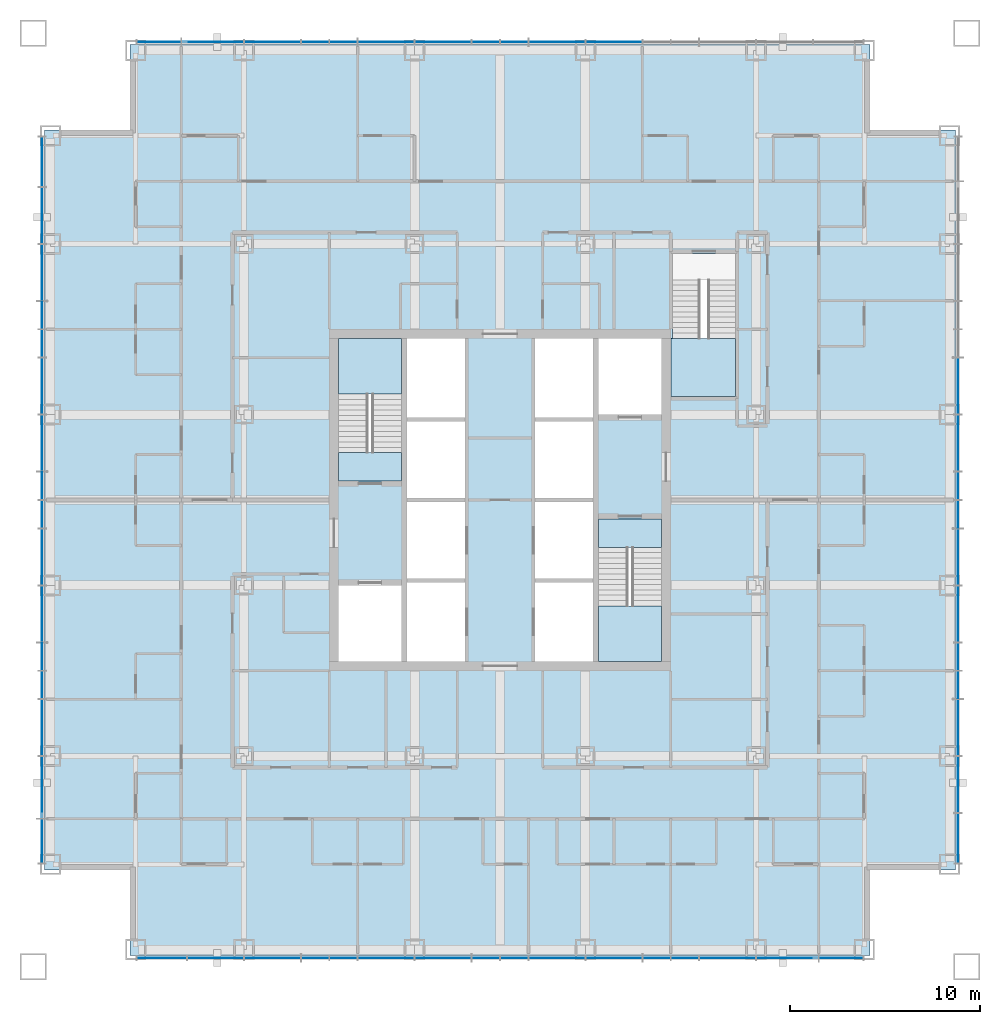
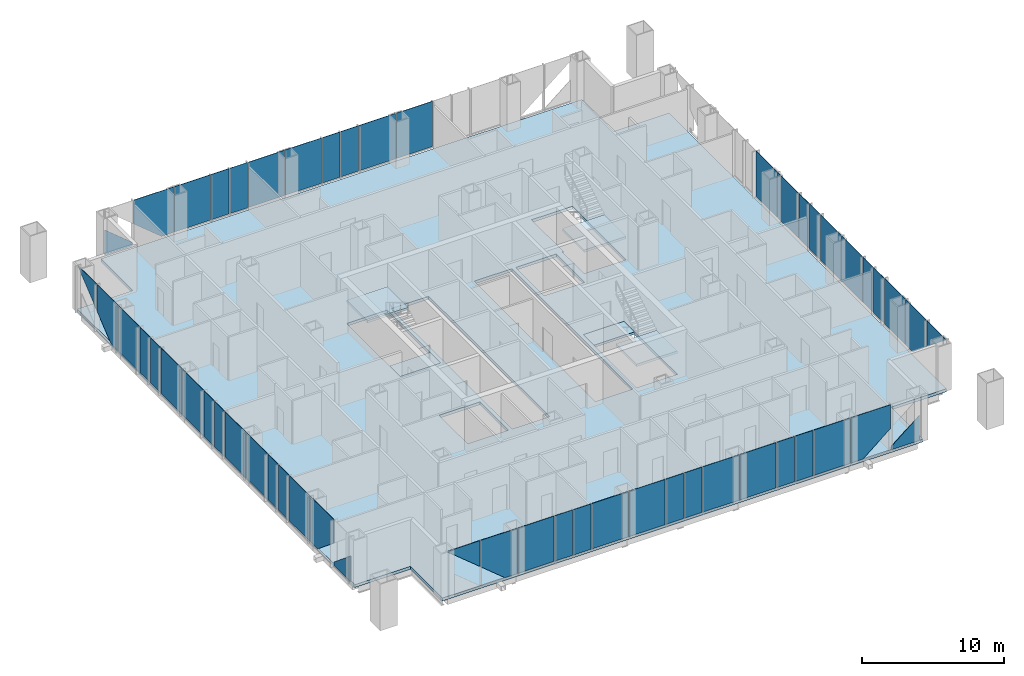
# One storey, part 7 of 18: 54 plates, 6 slabs, 7 elements without a shape of their own.
"""IFC4 building model written with IfcOpenShell, lengths in metres."""

from ifc_helpers import new_model, si_unit, direction, frame, origin, origin_2d, place, context, subcontext, project, spatial, polyline, rectangle, outline, extrude, material, layer, layer_set, type_object, element, aggregate, save


model = new_model("IFC4")

# Units and contexts
model_context = context("Model", 3, precision=1e-05, world=origin(), true_north=direction((0.0, 1.0)))
body_context = subcontext(model_context, "Body", "Model", "MODEL_VIEW")
ifc_project = project(units=[si_unit("LENGTHUNIT", "METRE"), si_unit("AREAUNIT", "SQUARE_METRE"), si_unit("VOLUMEUNIT", "CUBIC_METRE"), si_unit("PLANEANGLEUNIT", "RADIAN"), si_unit("MASSUNIT", "GRAM", prefix="KILO")], contexts=[model_context])

# Site, building, storey
site_placement = place(None, origin())
site = spatial("IfcSite", under=ifc_project, at=site_placement, CompositionType="ELEMENT")
building_placement = place(site_placement, origin())
building = spatial("IfcBuilding", under=site, at=building_placement, Name="Malebo Sky Hospital", CompositionType="ELEMENT")
storey_placement = place(building_placement, frame((0.0, 0.0, 132.0)))
storey = spatial("IfcBuildingStorey", under=building, at=storey_placement, Name="L31", CompositionType="ELEMENT", Elevation=132.0)

# Slab
ifc_material_1 = material(Name="Concrete C40/50", Category="concrete")
ifc_layer_1 = layer(ifc_material_1, 0.25)
ifc_layer_set_1 = layer_set([ifc_layer_1], Name="COMPOSITE FLOOR SLAB 250")
slab_type_1 = type_object("IfcSlabType", Name="COMPOSITE FLOOR SLAB 250", PredefinedType="FLOOR", material=ifc_layer_set_1)
slab_1_placement = place(storey_placement, frame((0.0, 0.0, -0.25)))
element("IfcSlab", 1, at=slab_1_placement, inside=storey, type_object=slab_type_1, Name="Floor slab L31", PredefinedType="FLOOR", context=body_context, shape_type="SweptSolid", body=[
    extrude(outline(polyline([(40.5, 86.0), (40.5, 81.5), (36.0, 81.5), (36.0, 42.5), (40.5, 42.5), (40.5, 38.0), (79.5, 38.0), (79.5, 42.5), (84.0, 42.5), (84.0, 81.5), (79.5, 81.5), (79.5, 86.0), (40.5, 86.0)]), holes=[polyline([(55.10009765625, 70.5), (58.14990234375, 70.5), (58.14990234375, 53.5), (55.10009765625, 53.5), (55.10009765625, 70.5)]), polyline([(64.89990234375, 70.5), (64.89990234375, 53.5), (61.85009765625, 53.5), (61.85009765625, 70.5), (64.89990234375, 70.5)]), polyline([(54.800048828125, 63.0), (51.5, 63.0), (51.5, 70.5), (54.800048828125, 70.5), (54.800048828125, 63.0)]), polyline([(51.5, 53.5), (51.5, 57.5), (54.800048828125, 57.5), (54.800048828125, 53.5), (51.5, 53.5)]), polyline([(65.199951171875, 61.0), (68.5, 61.0), (68.5, 53.5), (65.199951171875, 53.5), (65.199951171875, 61.0)]), polyline([(68.5, 70.5), (68.5, 66.5), (65.199951171875, 66.5), (65.199951171875, 70.5), (68.5, 70.5)]), polyline([(69.0, 67.449951171875), (69.0, 70.52001953125), (69.10009765625, 70.52001953125), (69.10009765625, 75.0), (72.39990234375, 75.0), (72.39990234375, 67.449951171875), (69.10009765625, 67.449951171875), (69.0, 67.449951171875)])]), origin(), (0.0, 0.0, 1.0), 0.25),
])

# Stair, slabs
stair_type_1 = type_object("IfcStairType", Name="HALF-TURN STAIR 1500 R167", PredefinedType="HALF_TURN_STAIR", material=ifc_material_1)
stair_1_placement = place(storey_placement, origin())
stair_1 = element("IfcStair", 2, at=stair_1_placement, inside=storey, type_object=stair_type_1, Name="Stair S1 L31 type ST1", PredefinedType="HALF_TURN_STAIR")
ifc_layer_2 = layer(ifc_material_1, 0.199951171875)
ifc_layer_set_2 = layer_set([ifc_layer_2], Name="STAIR LANDING 200")
slab_type_2 = type_object("IfcSlabType", Name="STAIR LANDING 200", PredefinedType="LANDING", material=ifc_layer_set_2)
slab_2_placement = place(storey_placement, frame((0.0, 0.0, -0.199951171875)))
slab_2 = element("IfcSlab", 3, at=slab_2_placement, type_object=slab_type_2, Name="S1 landing 1", PredefinedType="LANDING", context=body_context, shape_type="SweptSolid", body=[
    extrude(outline(polyline([(51.5, 63.0), (54.800048828125, 63.0), (54.800048828125, 64.5), (51.5, 64.5), (51.5, 63.0)])), origin(), (0.0, 0.0, 1.0), 0.199951171875),
])
slab_3_placement = place(storey_placement, frame((0.0, 0.0, 1.800048828125)))
slab_3 = element("IfcSlab", 4, at=slab_3_placement, type_object=slab_type_2, Name="S1 landing 2", PredefinedType="LANDING", context=body_context, shape_type="SweptSolid", body=[
    extrude(outline(polyline([(51.5, 67.580078125), (54.800048828125, 67.580078125), (54.800048828125, 70.5), (51.5, 70.5), (51.5, 67.580078125)])), origin(), (0.0, 0.0, 1.0), 0.199951171875),
])
aggregate(stair_1, [slab_2, slab_3])

stair_2_placement = place(storey_placement, origin())
stair_2 = element("IfcStair", 5, at=stair_2_placement, inside=storey, type_object=stair_type_1, Name="Stair S2 L31 type ST1", PredefinedType="HALF_TURN_STAIR")
slab_4_placement = place(storey_placement, frame((0.0, 0.0, -0.199951171875)))
slab_4 = element("IfcSlab", 6, at=slab_4_placement, type_object=slab_type_2, Name="S2 landing 1", PredefinedType="LANDING", context=body_context, shape_type="SweptSolid", body=[
    extrude(outline(polyline([(65.199951171875, 59.5), (68.5, 59.5), (68.5, 61.0), (65.199951171875, 61.0), (65.199951171875, 59.5)])), origin(), (0.0, 0.0, 1.0), 0.199951171875),
])
slab_5_placement = place(storey_placement, frame((0.0, 0.0, 1.800048828125)))
slab_5 = element("IfcSlab", 7, at=slab_5_placement, type_object=slab_type_2, Name="S2 landing 2", PredefinedType="LANDING", context=body_context, shape_type="SweptSolid", body=[
    extrude(outline(polyline([(65.199951171875, 53.5), (68.5, 53.5), (68.5, 56.419921875), (65.199951171875, 56.419921875), (65.199951171875, 53.5)])), origin(), (0.0, 0.0, 1.0), 0.199951171875),
])
aggregate(stair_2, [slab_4, slab_5])

# Stair, slab
stair_type_2 = type_object("IfcStairType", Name="HALF-TURN STAIR 1400 R167", PredefinedType="HALF_TURN_STAIR", material=ifc_material_1)
stair_3_placement = place(storey_placement, origin())
stair_3 = element("IfcStair", 8, at=stair_3_placement, inside=storey, type_object=stair_type_2, Name="Stair S3 L31 type ST1B", PredefinedType="HALF_TURN_STAIR")
slab_6_placement = place(storey_placement, frame((0.0, 0.0, 1.800048828125)))
slab_6 = element("IfcSlab", 9, at=slab_6_placement, type_object=slab_type_2, Name="S3 landing 2", PredefinedType="LANDING", context=body_context, shape_type="SweptSolid", body=[
    extrude(outline(polyline([(69.0, 67.449951171875), (72.39990234375, 67.449951171875), (72.39990234375, 70.52001953125), (69.0, 70.52001953125), (69.0, 67.449951171875)])), origin(), (0.0, 0.0, 1.0), 0.199951171875),
])
aggregate(stair_3, [slab_6])

# Curtain wall, plates
ifc_material_2 = material(Name="Anodised aluminium, natural silver", Category="aluminium")
ifc_layer_3 = layer(ifc_material_2, 0.25)
ifc_layer_set_3 = layer_set([ifc_layer_3], Name="WARD CURTAIN WALL NORTH AND SOUTH")
curtain_wall_type_1 = type_object("IfcCurtainWallType", Name="WARD CURTAIN WALL NORTH AND SOUTH", PredefinedType="NOTDEFINED", material=ifc_layer_set_3)
curtain_wall_1_placement = place(storey_placement, origin())
curtain_wall_1 = element("IfcCurtainWall", 10, at=curtain_wall_1_placement, inside=storey, type_object=curtain_wall_type_1, Name="NS curtain wall N", PredefinedType="NOTDEFINED")
ifc_material_3 = material(Name="Clear low-iron double glazing", Category="glass")
ifc_layer_4 = layer(ifc_material_3, 0.031982421875)
ifc_layer_set_4 = layer_set([ifc_layer_4], Name="VISION PANEL CLEAR 32")
plate_type = type_object("IfcPlateType", Name="VISION PANEL CLEAR 32", PredefinedType="CURTAIN_PANEL", material=ifc_layer_set_4)
plate_1_placement = place(storey_placement, frame((42.018798828125, 86.135009765625, 0.10009765625), z_axis=(0.0, 0.0, 1.0), x_axis=(1.0, 0.0, 0.0)))
plate_1 = element("IfcPlate", 11, at=plate_1_placement, type_object=plate_type, Name="Panel 1", PredefinedType="CURTAIN_PANEL", context=body_context, shape_type="SweptSolid", body=[
    extrude(outline(polyline([(-1.143798828125, 0.0), (1.143798828125, 0.0), (1.143798828125, 0.291748046875), (-1.143798828125, 2.177001953125), (-1.143798828125, 0.0)])), frame((0.0, 0.01611328125, 0.0), z_axis=(0.0, -1.0, 0.0), x_axis=(1.0, 0.0, 0.0)), (0.0, 0.0, 1.0), 0.031982421875),
])
plate_2_placement = place(storey_placement, frame((44.85009765625, 86.135009765625, 0.10009765625), z_axis=(0.0, 0.0, 1.0), x_axis=(1.0, 0.0, 0.0)))
plate_2 = element("IfcPlate", 12, at=plate_2_placement, type_object=plate_type, Name="Panel 2", PredefinedType="CURTAIN_PANEL", context=body_context, shape_type="SweptSolid", body=[
    extrude(outline(polyline([(0.63330078125, 0.0), (1.612548828125, 0.0), (1.612548828125, 3.889892578125), (-1.612548828125, 3.889892578125), (-1.612548828125, 1.85107421875), (0.63330078125, 0.0)])), frame((0.0, 0.01611328125, 0.0), z_axis=(0.0, -1.0, 0.0), x_axis=(1.0, 0.0, 0.0)), (0.0, 0.0, 1.0), 0.031982421875),
])
plate_3_placement = place(storey_placement, frame((48.0, 86.135009765625, 0.10009765625), z_axis=(0.0, 0.0, 1.0), x_axis=(1.0, 0.0, 0.0)))
plate_3 = element("IfcPlate", 13, at=plate_3_placement, type_object=plate_type, Name="Panel 3", PredefinedType="CURTAIN_PANEL", context=body_context, shape_type="SweptSolid", body=[
    extrude(rectangle(XDim=2.925048828125, YDim=0.031982421875, at=origin_2d()), origin(), (0.0, 0.0, 1.0), 3.889892578125),
])
plate_4_placement = place(storey_placement, frame((50.25, 86.135009765625, 0.10009765625), z_axis=(0.0, 0.0, 1.0), x_axis=(1.0, 0.0, 0.0)))
plate_4 = element("IfcPlate", 14, at=plate_4_placement, type_object=plate_type, Name="Panel 4", PredefinedType="CURTAIN_PANEL", context=body_context, shape_type="SweptSolid", body=[
    extrude(rectangle(XDim=1.425048828125, YDim=0.031982421875, at=origin_2d()), origin(), (0.0, 0.0, 1.0), 3.889892578125),
])
plate_5_placement = place(storey_placement, frame((51.75, 86.135009765625, 0.10009765625), z_axis=(0.0, 0.0, 1.0), x_axis=(1.0, 0.0, 0.0)))
plate_5 = element("IfcPlate", 15, at=plate_5_placement, type_object=plate_type, Name="Panel 5", PredefinedType="CURTAIN_PANEL", context=body_context, shape_type="SweptSolid", body=[
    extrude(rectangle(XDim=1.425048828125, YDim=0.031982421875, at=origin_2d()), origin(), (0.0, 0.0, 1.0), 3.889892578125),
])
plate_6_placement = place(storey_placement, frame((54.0, 86.135009765625, 0.10009765625), z_axis=(0.0, 0.0, 1.0), x_axis=(1.0, 0.0, 0.0)))
plate_6 = element("IfcPlate", 16, at=plate_6_placement, type_object=plate_type, Name="Panel 6", PredefinedType="CURTAIN_PANEL", context=body_context, shape_type="SweptSolid", body=[
    extrude(rectangle(XDim=2.925048828125, YDim=0.031982421875, at=origin_2d()), origin(), (0.0, 0.0, 1.0), 3.889892578125),
])
plate_7_placement = place(storey_placement, frame((57.0, 86.135009765625, 0.10009765625), z_axis=(0.0, 0.0, 1.0), x_axis=(1.0, 0.0, 0.0)))
plate_7 = element("IfcPlate", 17, at=plate_7_placement, type_object=plate_type, Name="Panel 7", PredefinedType="CURTAIN_PANEL", context=body_context, shape_type="SweptSolid", body=[
    extrude(rectangle(XDim=2.925048828125, YDim=0.031982421875, at=origin_2d()), origin(), (0.0, 0.0, 1.0), 3.889892578125),
])
plate_8_placement = place(storey_placement, frame((59.25, 86.135009765625, 0.10009765625), z_axis=(0.0, 0.0, 1.0), x_axis=(1.0, 0.0, 0.0)))
plate_8 = element("IfcPlate", 18, at=plate_8_placement, type_object=plate_type, Name="Panel 8", PredefinedType="CURTAIN_PANEL", context=body_context, shape_type="SweptSolid", body=[
    extrude(rectangle(XDim=1.425048828125, YDim=0.031982421875, at=origin_2d()), origin(), (0.0, 0.0, 1.0), 3.889892578125),
])
plate_9_placement = place(storey_placement, frame((60.75, 86.135009765625, 0.10009765625), z_axis=(0.0, 0.0, 1.0), x_axis=(1.0, 0.0, 0.0)))
plate_9 = element("IfcPlate", 19, at=plate_9_placement, type_object=plate_type, Name="Panel 9", PredefinedType="CURTAIN_PANEL", context=body_context, shape_type="SweptSolid", body=[
    extrude(rectangle(XDim=1.425048828125, YDim=0.031982421875, at=origin_2d()), origin(), (0.0, 0.0, 1.0), 3.889892578125),
])
plate_10_placement = place(storey_placement, frame((63.0, 86.135009765625, 0.10009765625), z_axis=(0.0, 0.0, 1.0), x_axis=(1.0, 0.0, 0.0)))
plate_10 = element("IfcPlate", 20, at=plate_10_placement, type_object=plate_type, Name="Panel 10", PredefinedType="CURTAIN_PANEL", context=body_context, shape_type="SweptSolid", body=[
    extrude(rectangle(XDim=2.925048828125, YDim=0.031982421875, at=origin_2d()), origin(), (0.0, 0.0, 1.0), 3.889892578125),
])
plate_11_placement = place(storey_placement, frame((66.0, 86.135009765625, 0.10009765625), z_axis=(0.0, 0.0, 1.0), x_axis=(1.0, 0.0, 0.0)))
plate_11 = element("IfcPlate", 21, at=plate_11_placement, type_object=plate_type, Name="Panel 11", PredefinedType="CURTAIN_PANEL", context=body_context, shape_type="SweptSolid", body=[
    extrude(rectangle(XDim=2.925048828125, YDim=0.031982421875, at=origin_2d()), origin(), (0.0, 0.0, 1.0), 3.889892578125),
])
aggregate(curtain_wall_1, [plate_1, plate_2, plate_3, plate_4, plate_5, plate_6, plate_7, plate_8, plate_9, plate_10, plate_11])

ifc_layer_5 = layer(ifc_material_2, 0.25)
ifc_layer_set_5 = layer_set([ifc_layer_5], Name="WARD CURTAIN WALL EAST AND WEST")
curtain_wall_type_2 = type_object("IfcCurtainWallType", Name="WARD CURTAIN WALL EAST AND WEST", PredefinedType="NOTDEFINED", material=ifc_layer_set_5)
curtain_wall_2_placement = place(storey_placement, origin())
curtain_wall_2 = element("IfcCurtainWall", 22, at=curtain_wall_2_placement, inside=storey, type_object=curtain_wall_type_2, Name="EW curtain wall W", PredefinedType="NOTDEFINED")
plate_12_placement = place(storey_placement, frame((35.864990234375, 44.018798828125, 0.10009765625), z_axis=(0.0, 0.0, 1.0), x_axis=(0.0, 1.0, 0.0)))
plate_12 = element("IfcPlate", 23, at=plate_12_placement, type_object=plate_type, Name="Panel 1", PredefinedType="CURTAIN_PANEL", context=body_context, shape_type="SweptSolid", body=[
    extrude(outline(polyline([(-1.143798828125, 0.0), (1.143798828125, 0.0), (1.143798828125, 0.291748046875), (-1.143798828125, 2.177001953125), (-1.143798828125, 0.0)])), frame((0.0, 0.01611328125, 0.0), z_axis=(0.0, -1.0, 0.0), x_axis=(1.0, 0.0, 0.0)), (0.0, 0.0, 1.0), 0.031982421875),
])
plate_13_placement = place(storey_placement, frame((35.864990234375, 46.85009765625, 0.10009765625), z_axis=(0.0, 0.0, 1.0), x_axis=(0.0, 1.0, 0.0)))
plate_13 = element("IfcPlate", 24, at=plate_13_placement, type_object=plate_type, Name="Panel 2", PredefinedType="CURTAIN_PANEL", context=body_context, shape_type="SweptSolid", body=[
    extrude(outline(polyline([(0.63330078125, 0.0), (1.612548828125, 0.0), (1.612548828125, 3.889892578125), (-1.612548828125, 3.889892578125), (-1.612548828125, 1.85107421875), (0.63330078125, 0.0)])), frame((0.0, 0.01611328125, 0.0), z_axis=(0.0, -1.0, 0.0), x_axis=(1.0, 0.0, 0.0)), (0.0, 0.0, 1.0), 0.031982421875),
])
plate_14_placement = place(storey_placement, frame((35.864990234375, 50.0, 0.10009765625), z_axis=(0.0, 0.0, 1.0), x_axis=(0.0, 1.0, 0.0)))
plate_14 = element("IfcPlate", 25, at=plate_14_placement, type_object=plate_type, Name="Panel 3", PredefinedType="CURTAIN_PANEL", context=body_context, shape_type="SweptSolid", body=[
    extrude(rectangle(XDim=2.925048828125, YDim=0.031982421875, at=origin_2d()), origin(), (0.0, 0.0, 1.0), 3.889892578125),
])
plate_15_placement = place(storey_placement, frame((35.864990234375, 52.25, 0.10009765625), z_axis=(0.0, 0.0, 1.0), x_axis=(0.0, 1.0, 0.0)))
plate_15 = element("IfcPlate", 26, at=plate_15_placement, type_object=plate_type, Name="Panel 4", PredefinedType="CURTAIN_PANEL", context=body_context, shape_type="SweptSolid", body=[
    extrude(rectangle(XDim=1.425048828125, YDim=0.031982421875, at=origin_2d()), origin(), (0.0, 0.0, 1.0), 3.889892578125),
])
plate_16_placement = place(storey_placement, frame((35.864990234375, 53.75, 0.10009765625), z_axis=(0.0, 0.0, 1.0), x_axis=(0.0, 1.0, 0.0)))
plate_16 = element("IfcPlate", 27, at=plate_16_placement, type_object=plate_type, Name="Panel 5", PredefinedType="CURTAIN_PANEL", context=body_context, shape_type="SweptSolid", body=[
    extrude(rectangle(XDim=1.425048828125, YDim=0.031982421875, at=origin_2d()), origin(), (0.0, 0.0, 1.0), 3.889892578125),
])
plate_17_placement = place(storey_placement, frame((35.864990234375, 56.0, 0.10009765625), z_axis=(0.0, 0.0, 1.0), x_axis=(0.0, 1.0, 0.0)))
plate_17 = element("IfcPlate", 28, at=plate_17_placement, type_object=plate_type, Name="Panel 6", PredefinedType="CURTAIN_PANEL", context=body_context, shape_type="SweptSolid", body=[
    extrude(rectangle(XDim=2.925048828125, YDim=0.031982421875, at=origin_2d()), origin(), (0.0, 0.0, 1.0), 3.889892578125),
])
plate_18_placement = place(storey_placement, frame((35.864990234375, 59.0, 0.10009765625), z_axis=(0.0, 0.0, 1.0), x_axis=(0.0, 1.0, 0.0)))
plate_18 = element("IfcPlate", 29, at=plate_18_placement, type_object=plate_type, Name="Panel 7", PredefinedType="CURTAIN_PANEL", context=body_context, shape_type="SweptSolid", body=[
    extrude(rectangle(XDim=2.925048828125, YDim=0.031982421875, at=origin_2d()), origin(), (0.0, 0.0, 1.0), 3.889892578125),
])
plate_19_placement = place(storey_placement, frame((35.864990234375, 61.25, 0.10009765625), z_axis=(0.0, 0.0, 1.0), x_axis=(0.0, 1.0, 0.0)))
plate_19 = element("IfcPlate", 30, at=plate_19_placement, type_object=plate_type, Name="Panel 8", PredefinedType="CURTAIN_PANEL", context=body_context, shape_type="SweptSolid", body=[
    extrude(rectangle(XDim=1.425048828125, YDim=0.031982421875, at=origin_2d()), origin(), (0.0, 0.0, 1.0), 3.889892578125),
])
plate_20_placement = place(storey_placement, frame((35.864990234375, 62.75, 0.10009765625), z_axis=(0.0, 0.0, 1.0), x_axis=(0.0, 1.0, 0.0)))
plate_20 = element("IfcPlate", 31, at=plate_20_placement, type_object=plate_type, Name="Panel 9", PredefinedType="CURTAIN_PANEL", context=body_context, shape_type="SweptSolid", body=[
    extrude(rectangle(XDim=1.425048828125, YDim=0.031982421875, at=origin_2d()), origin(), (0.0, 0.0, 1.0), 3.889892578125),
])
plate_21_placement = place(storey_placement, frame((35.864990234375, 65.0, 0.10009765625), z_axis=(0.0, 0.0, 1.0), x_axis=(0.0, 1.0, 0.0)))
plate_21 = element("IfcPlate", 32, at=plate_21_placement, type_object=plate_type, Name="Panel 10", PredefinedType="CURTAIN_PANEL", context=body_context, shape_type="SweptSolid", body=[
    extrude(rectangle(XDim=2.925048828125, YDim=0.031982421875, at=origin_2d()), origin(), (0.0, 0.0, 1.0), 3.889892578125),
])
plate_22_placement = place(storey_placement, frame((35.864990234375, 68.0, 0.10009765625), z_axis=(0.0, 0.0, 1.0), x_axis=(0.0, 1.0, 0.0)))
plate_22 = element("IfcPlate", 33, at=plate_22_placement, type_object=plate_type, Name="Panel 11", PredefinedType="CURTAIN_PANEL", context=body_context, shape_type="SweptSolid", body=[
    extrude(rectangle(XDim=2.925048828125, YDim=0.031982421875, at=origin_2d()), origin(), (0.0, 0.0, 1.0), 3.889892578125),
])
plate_23_placement = place(storey_placement, frame((35.864990234375, 70.25, 0.10009765625), z_axis=(0.0, 0.0, 1.0), x_axis=(0.0, 1.0, 0.0)))
plate_23 = element("IfcPlate", 34, at=plate_23_placement, type_object=plate_type, Name="Panel 12", PredefinedType="CURTAIN_PANEL", context=body_context, shape_type="SweptSolid", body=[
    extrude(rectangle(XDim=1.425048828125, YDim=0.031982421875, at=origin_2d()), origin(), (0.0, 0.0, 1.0), 3.889892578125),
])
plate_24_placement = place(storey_placement, frame((35.864990234375, 71.75, 0.10009765625), z_axis=(0.0, 0.0, 1.0), x_axis=(0.0, 1.0, 0.0)))
plate_24 = element("IfcPlate", 35, at=plate_24_placement, type_object=plate_type, Name="Panel 13", PredefinedType="CURTAIN_PANEL", context=body_context, shape_type="SweptSolid", body=[
    extrude(rectangle(XDim=1.425048828125, YDim=0.031982421875, at=origin_2d()), origin(), (0.0, 0.0, 1.0), 3.889892578125),
])
plate_25_placement = place(storey_placement, frame((35.864990234375, 74.0, 0.10009765625), z_axis=(0.0, 0.0, 1.0), x_axis=(0.0, 1.0, 0.0)))
plate_25 = element("IfcPlate", 36, at=plate_25_placement, type_object=plate_type, Name="Panel 14", PredefinedType="CURTAIN_PANEL", context=body_context, shape_type="SweptSolid", body=[
    extrude(rectangle(XDim=2.925048828125, YDim=0.031982421875, at=origin_2d()), origin(), (0.0, 0.0, 1.0), 3.889892578125),
])
plate_26_placement = place(storey_placement, frame((35.864990234375, 77.0, 0.10009765625), z_axis=(0.0, 0.0, 1.0), x_axis=(0.0, 1.0, 0.0)))
plate_26 = element("IfcPlate", 37, at=plate_26_placement, type_object=plate_type, Name="Panel 15", PredefinedType="CURTAIN_PANEL", context=body_context, shape_type="SweptSolid", body=[
    extrude(outline(polyline([(-1.46240234375, 0.0), (-0.4833984375, 0.0), (1.46240234375, 1.603759765625), (1.46240234375, 3.889892578125), (-1.46240234375, 3.889892578125), (-1.46240234375, 0.0)])), frame((0.0, 0.01611328125, 0.0), z_axis=(0.0, -1.0, 0.0), x_axis=(1.0, 0.0, 0.0)), (0.0, 0.0, 1.0), 0.031982421875),
])
plate_27_placement = place(storey_placement, frame((35.864990234375, 79.831298828125, 1.765625), z_axis=(0.0, 0.0, 1.0), x_axis=(0.0, 1.0, 0.0)))
plate_27 = element("IfcPlate", 38, at=plate_27_placement, type_object=plate_type, Name="Panel 16", PredefinedType="CURTAIN_PANEL", context=body_context, shape_type="SweptSolid", body=[
    extrude(outline(polyline([(-1.293701171875, 0.0), (1.293701171875, 2.132568359375), (1.293701171875, 2.224365234375), (-1.293701171875, 2.224365234375), (-1.293701171875, 0.0)])), frame((0.0, 0.01611328125, 0.0), z_axis=(0.0, -1.0, 0.0), x_axis=(1.0, 0.0, 0.0)), (0.0, 0.0, 1.0), 0.031982421875),
])
aggregate(curtain_wall_2, [plate_12, plate_13, plate_14, plate_15, plate_16, plate_17, plate_18, plate_19, plate_20, plate_21, plate_22, plate_23, plate_24, plate_25, plate_26, plate_27])

curtain_wall_3_placement = place(storey_placement, origin())
curtain_wall_3 = element("IfcCurtainWall", 39, at=curtain_wall_3_placement, inside=storey, type_object=curtain_wall_type_1, Name="NS curtain wall S", PredefinedType="NOTDEFINED")
plate_28_placement = place(storey_placement, frame((77.981201171875, 37.864990234375, 0.10009765625), z_axis=(0.0, 0.0, 1.0), x_axis=(-1.0, 0.0, 0.0)))
plate_28 = element("IfcPlate", 40, at=plate_28_placement, type_object=plate_type, Name="Panel 1", PredefinedType="CURTAIN_PANEL", context=body_context, shape_type="SweptSolid", body=[
    extrude(outline(polyline([(-1.143798828125, 0.0), (1.143798828125, 0.0), (1.143798828125, 0.291748046875), (-1.143798828125, 2.177001953125), (-1.143798828125, 0.0)])), frame((0.0, 0.01611328125, 0.0), z_axis=(0.0, -1.0, 0.0), x_axis=(1.0, 0.0, 0.0)), (0.0, 0.0, 1.0), 0.031982421875),
])
plate_29_placement = place(storey_placement, frame((75.14990234375, 37.864990234375, 0.10009765625), z_axis=(0.0, 0.0, 1.0), x_axis=(-1.0, 0.0, 0.0)))
plate_29 = element("IfcPlate", 41, at=plate_29_placement, type_object=plate_type, Name="Panel 2", PredefinedType="CURTAIN_PANEL", context=body_context, shape_type="SweptSolid", body=[
    extrude(outline(polyline([(0.63330078125, 0.0), (1.612548828125, 0.0), (1.612548828125, 3.889892578125), (-1.612548828125, 3.889892578125), (-1.612548828125, 1.85107421875), (0.63330078125, 0.0)])), frame((0.0, 0.01611328125, 0.0), z_axis=(0.0, -1.0, 0.0), x_axis=(1.0, 0.0, 0.0)), (0.0, 0.0, 1.0), 0.031982421875),
])
plate_30_placement = place(storey_placement, frame((72.0, 37.864990234375, 0.10009765625), z_axis=(0.0, 0.0, 1.0), x_axis=(-1.0, 0.0, 0.0)))
plate_30 = element("IfcPlate", 42, at=plate_30_placement, type_object=plate_type, Name="Panel 3", PredefinedType="CURTAIN_PANEL", context=body_context, shape_type="SweptSolid", body=[
    extrude(rectangle(XDim=2.925048828125, YDim=0.031982421875, at=origin_2d()), origin(), (0.0, 0.0, 1.0), 3.889892578125),
])
plate_31_placement = place(storey_placement, frame((69.75, 37.864990234375, 0.10009765625), z_axis=(0.0, 0.0, 1.0), x_axis=(-1.0, 0.0, 0.0)))
plate_31 = element("IfcPlate", 43, at=plate_31_placement, type_object=plate_type, Name="Panel 4", PredefinedType="CURTAIN_PANEL", context=body_context, shape_type="SweptSolid", body=[
    extrude(rectangle(XDim=1.425048828125, YDim=0.031982421875, at=origin_2d()), origin(), (0.0, 0.0, 1.0), 3.889892578125),
])
plate_32_placement = place(storey_placement, frame((68.25, 37.864990234375, 0.10009765625), z_axis=(0.0, 0.0, 1.0), x_axis=(-1.0, 0.0, 0.0)))
plate_32 = element("IfcPlate", 44, at=plate_32_placement, type_object=plate_type, Name="Panel 5", PredefinedType="CURTAIN_PANEL", context=body_context, shape_type="SweptSolid", body=[
    extrude(rectangle(XDim=1.425048828125, YDim=0.031982421875, at=origin_2d()), origin(), (0.0, 0.0, 1.0), 3.889892578125),
])
plate_33_placement = place(storey_placement, frame((66.0, 37.864990234375, 0.10009765625), z_axis=(0.0, 0.0, 1.0), x_axis=(-1.0, 0.0, 0.0)))
plate_33 = element("IfcPlate", 45, at=plate_33_placement, type_object=plate_type, Name="Panel 6", PredefinedType="CURTAIN_PANEL", context=body_context, shape_type="SweptSolid", body=[
    extrude(rectangle(XDim=2.925048828125, YDim=0.031982421875, at=origin_2d()), origin(), (0.0, 0.0, 1.0), 3.889892578125),
])
plate_34_placement = place(storey_placement, frame((63.0, 37.864990234375, 0.10009765625), z_axis=(0.0, 0.0, 1.0), x_axis=(-1.0, 0.0, 0.0)))
plate_34 = element("IfcPlate", 46, at=plate_34_placement, type_object=plate_type, Name="Panel 7", PredefinedType="CURTAIN_PANEL", context=body_context, shape_type="SweptSolid", body=[
    extrude(rectangle(XDim=2.925048828125, YDim=0.031982421875, at=origin_2d()), origin(), (0.0, 0.0, 1.0), 3.889892578125),
])
plate_35_placement = place(storey_placement, frame((60.75, 37.864990234375, 0.10009765625), z_axis=(0.0, 0.0, 1.0), x_axis=(-1.0, 0.0, 0.0)))
plate_35 = element("IfcPlate", 47, at=plate_35_placement, type_object=plate_type, Name="Panel 8", PredefinedType="CURTAIN_PANEL", context=body_context, shape_type="SweptSolid", body=[
    extrude(rectangle(XDim=1.425048828125, YDim=0.031982421875, at=origin_2d()), origin(), (0.0, 0.0, 1.0), 3.889892578125),
])
plate_36_placement = place(storey_placement, frame((59.25, 37.864990234375, 0.10009765625), z_axis=(0.0, 0.0, 1.0), x_axis=(-1.0, 0.0, 0.0)))
plate_36 = element("IfcPlate", 48, at=plate_36_placement, type_object=plate_type, Name="Panel 9", PredefinedType="CURTAIN_PANEL", context=body_context, shape_type="SweptSolid", body=[
    extrude(rectangle(XDim=1.425048828125, YDim=0.031982421875, at=origin_2d()), origin(), (0.0, 0.0, 1.0), 3.889892578125),
])
plate_37_placement = place(storey_placement, frame((57.0, 37.864990234375, 0.10009765625), z_axis=(0.0, 0.0, 1.0), x_axis=(-1.0, 0.0, 0.0)))
plate_37 = element("IfcPlate", 49, at=plate_37_placement, type_object=plate_type, Name="Panel 10", PredefinedType="CURTAIN_PANEL", context=body_context, shape_type="SweptSolid", body=[
    extrude(rectangle(XDim=2.925048828125, YDim=0.031982421875, at=origin_2d()), origin(), (0.0, 0.0, 1.0), 3.889892578125),
])
plate_38_placement = place(storey_placement, frame((54.0, 37.864990234375, 0.10009765625), z_axis=(0.0, 0.0, 1.0), x_axis=(-1.0, 0.0, 0.0)))
plate_38 = element("IfcPlate", 50, at=plate_38_placement, type_object=plate_type, Name="Panel 11", PredefinedType="CURTAIN_PANEL", context=body_context, shape_type="SweptSolid", body=[
    extrude(rectangle(XDim=2.925048828125, YDim=0.031982421875, at=origin_2d()), origin(), (0.0, 0.0, 1.0), 3.889892578125),
])
plate_39_placement = place(storey_placement, frame((51.75, 37.864990234375, 0.10009765625), z_axis=(0.0, 0.0, 1.0), x_axis=(-1.0, 0.0, 0.0)))
plate_39 = element("IfcPlate", 51, at=plate_39_placement, type_object=plate_type, Name="Panel 12", PredefinedType="CURTAIN_PANEL", context=body_context, shape_type="SweptSolid", body=[
    extrude(rectangle(XDim=1.425048828125, YDim=0.031982421875, at=origin_2d()), origin(), (0.0, 0.0, 1.0), 3.889892578125),
])
plate_40_placement = place(storey_placement, frame((50.25, 37.864990234375, 0.10009765625), z_axis=(0.0, 0.0, 1.0), x_axis=(-1.0, 0.0, 0.0)))
plate_40 = element("IfcPlate", 52, at=plate_40_placement, type_object=plate_type, Name="Panel 13", PredefinedType="CURTAIN_PANEL", context=body_context, shape_type="SweptSolid", body=[
    extrude(rectangle(XDim=1.425048828125, YDim=0.031982421875, at=origin_2d()), origin(), (0.0, 0.0, 1.0), 3.889892578125),
])
plate_41_placement = place(storey_placement, frame((48.0, 37.864990234375, 0.10009765625), z_axis=(0.0, 0.0, 1.0), x_axis=(-1.0, 0.0, 0.0)))
plate_41 = element("IfcPlate", 53, at=plate_41_placement, type_object=plate_type, Name="Panel 14", PredefinedType="CURTAIN_PANEL", context=body_context, shape_type="SweptSolid", body=[
    extrude(rectangle(XDim=2.925048828125, YDim=0.031982421875, at=origin_2d()), origin(), (0.0, 0.0, 1.0), 3.889892578125),
])
plate_42_placement = place(storey_placement, frame((45.0, 37.864990234375, 0.10009765625), z_axis=(0.0, 0.0, 1.0), x_axis=(-1.0, 0.0, 0.0)))
plate_42 = element("IfcPlate", 54, at=plate_42_placement, type_object=plate_type, Name="Panel 15", PredefinedType="CURTAIN_PANEL", context=body_context, shape_type="SweptSolid", body=[
    extrude(outline(polyline([(-1.46240234375, 0.0), (-0.4833984375, 0.0), (1.46240234375, 1.603759765625), (1.46240234375, 3.889892578125), (-1.46240234375, 3.889892578125), (-1.46240234375, 0.0)])), frame((0.0, 0.01611328125, 0.0), z_axis=(0.0, -1.0, 0.0), x_axis=(1.0, 0.0, 0.0)), (0.0, 0.0, 1.0), 0.031982421875),
])
plate_43_placement = place(storey_placement, frame((42.168701171875, 37.864990234375, 1.765625), z_axis=(0.0, 0.0, 1.0), x_axis=(-1.0, 0.0, 0.0)))
plate_43 = element("IfcPlate", 55, at=plate_43_placement, type_object=plate_type, Name="Panel 16", PredefinedType="CURTAIN_PANEL", context=body_context, shape_type="SweptSolid", body=[
    extrude(outline(polyline([(-1.293701171875, 0.0), (1.293701171875, 2.132568359375), (1.293701171875, 2.224365234375), (-1.293701171875, 2.224365234375), (-1.293701171875, 0.0)])), frame((0.0, 0.01611328125, 0.0), z_axis=(0.0, -1.0, 0.0), x_axis=(1.0, 0.0, 0.0)), (0.0, 0.0, 1.0), 0.031982421875),
])
aggregate(curtain_wall_3, [plate_28, plate_29, plate_30, plate_31, plate_32, plate_33, plate_34, plate_35, plate_36, plate_37, plate_38, plate_39, plate_40, plate_41, plate_42, plate_43])

curtain_wall_4_placement = place(storey_placement, origin())
curtain_wall_4 = element("IfcCurtainWall", 56, at=curtain_wall_4_placement, inside=storey, type_object=curtain_wall_type_2, Name="EW curtain wall E", PredefinedType="NOTDEFINED")
plate_44_placement = place(storey_placement, frame((84.135009765625, 68.0, 0.10009765625), z_axis=(0.0, 0.0, 1.0), x_axis=(0.0, -1.0, 0.0)))
plate_44 = element("IfcPlate", 57, at=plate_44_placement, type_object=plate_type, Name="Panel 6", PredefinedType="CURTAIN_PANEL", context=body_context, shape_type="SweptSolid", body=[
    extrude(rectangle(XDim=2.925048828125, YDim=0.031982421875, at=origin_2d()), origin(), (0.0, 0.0, 1.0), 3.889892578125),
])
plate_45_placement = place(storey_placement, frame((84.135009765625, 65.0, 0.10009765625), z_axis=(0.0, 0.0, 1.0), x_axis=(0.0, -1.0, 0.0)))
plate_45 = element("IfcPlate", 58, at=plate_45_placement, type_object=plate_type, Name="Panel 7", PredefinedType="CURTAIN_PANEL", context=body_context, shape_type="SweptSolid", body=[
    extrude(rectangle(XDim=2.925048828125, YDim=0.031982421875, at=origin_2d()), origin(), (0.0, 0.0, 1.0), 3.889892578125),
])
plate_46_placement = place(storey_placement, frame((84.135009765625, 62.75, 0.10009765625), z_axis=(0.0, 0.0, 1.0), x_axis=(0.0, -1.0, 0.0)))
plate_46 = element("IfcPlate", 59, at=plate_46_placement, type_object=plate_type, Name="Panel 8", PredefinedType="CURTAIN_PANEL", context=body_context, shape_type="SweptSolid", body=[
    extrude(rectangle(XDim=1.425048828125, YDim=0.031982421875, at=origin_2d()), origin(), (0.0, 0.0, 1.0), 3.889892578125),
])
plate_47_placement = place(storey_placement, frame((84.135009765625, 61.25, 0.10009765625), z_axis=(0.0, 0.0, 1.0), x_axis=(0.0, -1.0, 0.0)))
plate_47 = element("IfcPlate", 60, at=plate_47_placement, type_object=plate_type, Name="Panel 9", PredefinedType="CURTAIN_PANEL", context=body_context, shape_type="SweptSolid", body=[
    extrude(rectangle(XDim=1.425048828125, YDim=0.031982421875, at=origin_2d()), origin(), (0.0, 0.0, 1.0), 3.889892578125),
])
plate_48_placement = place(storey_placement, frame((84.135009765625, 59.0, 0.10009765625), z_axis=(0.0, 0.0, 1.0), x_axis=(0.0, -1.0, 0.0)))
plate_48 = element("IfcPlate", 61, at=plate_48_placement, type_object=plate_type, Name="Panel 10", PredefinedType="CURTAIN_PANEL", context=body_context, shape_type="SweptSolid", body=[
    extrude(rectangle(XDim=2.925048828125, YDim=0.031982421875, at=origin_2d()), origin(), (0.0, 0.0, 1.0), 3.889892578125),
])
plate_49_placement = place(storey_placement, frame((84.135009765625, 56.0, 0.10009765625), z_axis=(0.0, 0.0, 1.0), x_axis=(0.0, -1.0, 0.0)))
plate_49 = element("IfcPlate", 62, at=plate_49_placement, type_object=plate_type, Name="Panel 11", PredefinedType="CURTAIN_PANEL", context=body_context, shape_type="SweptSolid", body=[
    extrude(rectangle(XDim=2.925048828125, YDim=0.031982421875, at=origin_2d()), origin(), (0.0, 0.0, 1.0), 3.889892578125),
])
plate_50_placement = place(storey_placement, frame((84.135009765625, 53.75, 0.10009765625), z_axis=(0.0, 0.0, 1.0), x_axis=(0.0, -1.0, 0.0)))
plate_50 = element("IfcPlate", 63, at=plate_50_placement, type_object=plate_type, Name="Panel 12", PredefinedType="CURTAIN_PANEL", context=body_context, shape_type="SweptSolid", body=[
    extrude(rectangle(XDim=1.425048828125, YDim=0.031982421875, at=origin_2d()), origin(), (0.0, 0.0, 1.0), 3.889892578125),
])
plate_51_placement = place(storey_placement, frame((84.135009765625, 52.25, 0.10009765625), z_axis=(0.0, 0.0, 1.0), x_axis=(0.0, -1.0, 0.0)))
plate_51 = element("IfcPlate", 64, at=plate_51_placement, type_object=plate_type, Name="Panel 13", PredefinedType="CURTAIN_PANEL", context=body_context, shape_type="SweptSolid", body=[
    extrude(rectangle(XDim=1.425048828125, YDim=0.031982421875, at=origin_2d()), origin(), (0.0, 0.0, 1.0), 3.889892578125),
])
plate_52_placement = place(storey_placement, frame((84.135009765625, 50.0, 0.10009765625), z_axis=(0.0, 0.0, 1.0), x_axis=(0.0, -1.0, 0.0)))
plate_52 = element("IfcPlate", 65, at=plate_52_placement, type_object=plate_type, Name="Panel 14", PredefinedType="CURTAIN_PANEL", context=body_context, shape_type="SweptSolid", body=[
    extrude(rectangle(XDim=2.925048828125, YDim=0.031982421875, at=origin_2d()), origin(), (0.0, 0.0, 1.0), 3.889892578125),
])
plate_53_placement = place(storey_placement, frame((84.135009765625, 47.0, 0.10009765625), z_axis=(0.0, 0.0, 1.0), x_axis=(0.0, -1.0, 0.0)))
plate_53 = element("IfcPlate", 66, at=plate_53_placement, type_object=plate_type, Name="Panel 15", PredefinedType="CURTAIN_PANEL", context=body_context, shape_type="SweptSolid", body=[
    extrude(outline(polyline([(-1.46240234375, 0.0), (-0.4833984375, 0.0), (1.46240234375, 1.603759765625), (1.46240234375, 3.889892578125), (-1.46240234375, 3.889892578125), (-1.46240234375, 0.0)])), frame((0.0, 0.01611328125, 0.0), z_axis=(0.0, -1.0, 0.0), x_axis=(1.0, 0.0, 0.0)), (0.0, 0.0, 1.0), 0.031982421875),
])
plate_54_placement = place(storey_placement, frame((84.135009765625, 44.168701171875, 1.765625), z_axis=(0.0, 0.0, 1.0), x_axis=(0.0, -1.0, 0.0)))
plate_54 = element("IfcPlate", 67, at=plate_54_placement, type_object=plate_type, Name="Panel 16", PredefinedType="CURTAIN_PANEL", context=body_context, shape_type="SweptSolid", body=[
    extrude(outline(polyline([(-1.293701171875, 0.0), (1.293701171875, 2.132568359375), (1.293701171875, 2.224365234375), (-1.293701171875, 2.224365234375), (-1.293701171875, 0.0)])), frame((0.0, 0.01611328125, 0.0), z_axis=(0.0, -1.0, 0.0), x_axis=(1.0, 0.0, 0.0)), (0.0, 0.0, 1.0), 0.031982421875),
])
aggregate(curtain_wall_4, [plate_44, plate_45, plate_46, plate_47, plate_48, plate_49, plate_50, plate_51, plate_52, plate_53, plate_54])

save(model, "model.ifc")
